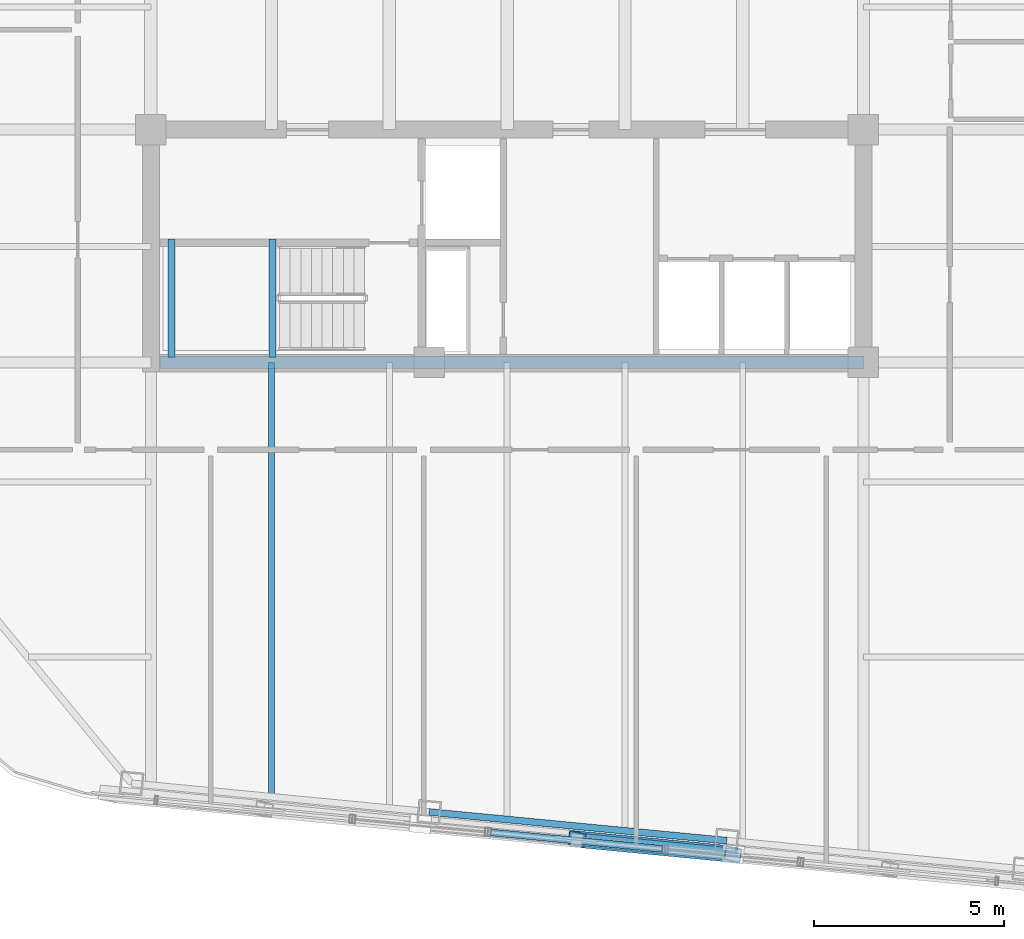
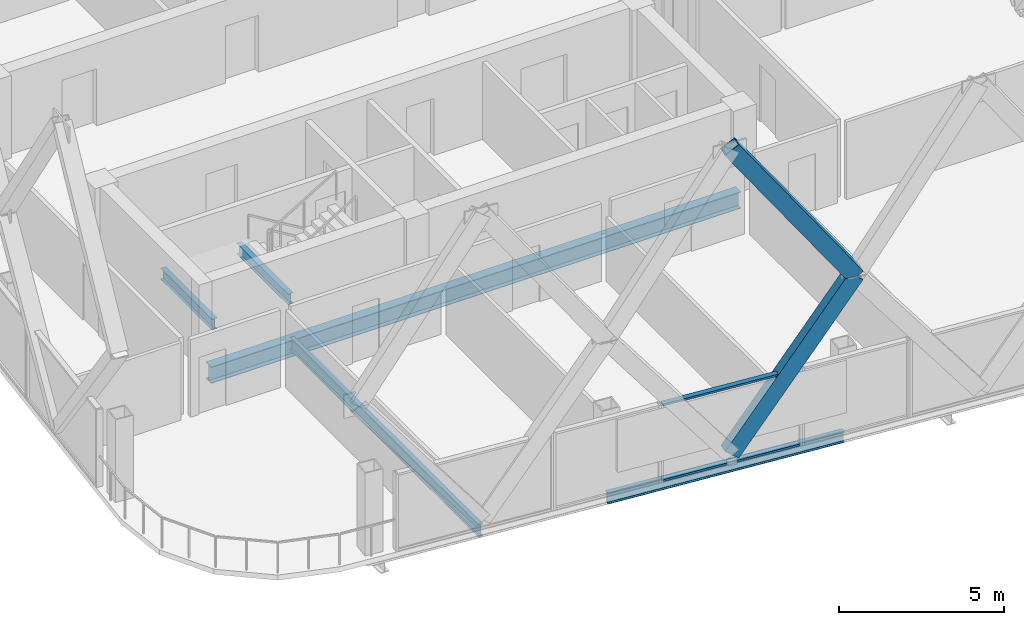
# One storey, part 5 of 25: 5 beams, 4 members, 1 element without a shape of its own.
"""IFC4 building model written with IfcOpenShell, lengths in metres."""

from ifc_helpers import new_model, si_unit, direction, frame, origin, origin_2d, place, context, subcontext, project, spatial, hollow_rectangle, i_section, extrude, material, layer, layer_set, material_profile, profile_set, type_object, element, aggregate, save


model = new_model("IFC4")

# Units and contexts
model_context = context("Model", 3, precision=1e-05, world=origin(), true_north=direction((0.0, 1.0)))
body_context = subcontext(model_context, "Body", "Model", "MODEL_VIEW")
ifc_project = project(units=[si_unit("LENGTHUNIT", "METRE"), si_unit("AREAUNIT", "SQUARE_METRE"), si_unit("VOLUMEUNIT", "CUBIC_METRE"), si_unit("PLANEANGLEUNIT", "RADIAN"), si_unit("MASSUNIT", "GRAM", prefix="KILO")], contexts=[model_context])

# Site, building, storey
site_placement = place(None, origin())
site = spatial("IfcSite", under=ifc_project, at=site_placement, CompositionType="ELEMENT")
building_placement = place(site_placement, origin())
building = spatial("IfcBuilding", under=site, at=building_placement, Name="Qhalaya Broadcast Tower", CompositionType="ELEMENT")
storey_placement = place(building_placement, frame((0.0, 0.0, 255.050048828125)))
storey = spatial("IfcBuildingStorey", under=building, at=storey_placement, Name="L75", CompositionType="ELEMENT", Elevation=255.050048828125)

# Beams
ifc_material_1 = material(Name="Structural Steel ASTM A992 Grade 50", Category="steel")
ifc_material_profile_1 = material_profile(ifc_material_1, i_section(OverallWidth=0.154052734375, OverallDepth=0.458984375, WebThickness=0.009033203125, FlangeThickness=0.015380859375, at=origin_2d()), Name="W18X46")
ifc_profile_set_1 = profile_set([ifc_material_profile_1], Name="Structural Steel ASTM A992 Grade 50")
beam_type_1 = type_object("IfcBeamType", Name="Composite Floor Joist J04", PredefinedType="JOIST", material=ifc_profile_set_1)
beam_1_placement = place(storey_placement, frame((-6.199951171875, -20.1630859375, -0.41943359375), z_axis=(0.0, 1.0, 0.0), x_axis=(-1.0, 0.0, 0.0)))
element("IfcBeam", 1, at=beam_1_placement, inside=storey, type_object=beam_type_1, Name="L75 J04 L75-JNS1-1", PredefinedType="JOIST", context=body_context, shape_type="SweptSolid", body=[
    extrude(i_section(OverallWidth=0.154052734375, OverallDepth=0.458984375, WebThickness=0.009033203125, FlangeThickness=0.015380859375, at=origin_2d()), origin(), (0.0, 0.0, 1.0), 11.4130859375),
])
ifc_material_profile_2 = material_profile(ifc_material_1, i_section(OverallWidth=0.323974609375, OverallDepth=0.612060546875, WebThickness=0.0126953125, FlangeThickness=0.01904296875, at=origin_2d()), Name="W24X104")
ifc_profile_set_2 = profile_set([ifc_material_profile_2], Name="Structural Steel ASTM A992 Grade 50")
beam_type_2 = type_object("IfcBeamType", Name="Core Frame Tie Beam B04", PredefinedType="BEAM", material=ifc_profile_set_2)
beam_2_placement = place(storey_placement, frame((-9.1201171875, -8.75, -0.49609375), z_axis=(1.0, 0.0, 0.0), x_axis=(0.0, 1.0, 0.0)))
element("IfcBeam", 2, at=beam_2_placement, inside=storey, type_object=beam_type_2, Name="L75 B04 L75-CCS3", PredefinedType="BEAM", context=body_context, shape_type="SweptSolid", body=[
    extrude(i_section(OverallWidth=0.323974609375, OverallDepth=0.612060546875, WebThickness=0.0126953125, FlangeThickness=0.01904296875, at=origin_2d()), origin(), (0.0, 0.0, 1.0), 18.4951171875),
])

# Members
ifc_material_2 = material(Name="Structural Steel ASTM A572 Grade 50", Category="steel")
ifc_material_profile_3 = material_profile(ifc_material_2, hollow_rectangle(XDim=0.3798828125, YDim=0.550048828125, WallThickness=0.02490234375, at=origin_2d()), Name="BOX 380x550x25")
ifc_profile_set_3 = profile_set([ifc_material_profile_3], Name="Structural Steel ASTM A572 Grade 50")
member_type_1 = type_object("IfcMemberType", Name="Exoskeleton Diamond Diagonal Upper EX4", PredefinedType="BRACE", material=ifc_profile_set_3)
member_1_placement = place(storey_placement, frame((1.830078125, -21.2978515625, 0.35986328125), z_axis=(0.605362942159, -0.058301925892, 0.793811434597), x_axis=(0.171157163881, 0.983517925101, -0.058289932722)))
element("IfcMember", 3, at=member_1_placement, inside=storey, type_object=member_type_1, Name="B6 Exoskeleton Diamond Brace S2-D2", PredefinedType="BRACE", context=body_context, shape_type="SweptSolid", body=[
    extrude(hollow_rectangle(XDim=0.3798828125, YDim=0.550048828125, WallThickness=0.02490234375, at=origin_2d()), origin(), (0.0, 0.0, 1.0), 6.79638671875),
])
member_2_placement = place(storey_placement, frame((5.9443359375, -21.694091796875, 5.7548828125), z_axis=(-0.572753444041, 0.055161336321, 0.817869622443), x_axis=(-0.173452418829, -0.983296871293, -0.055149989195)))
element("IfcMember", 4, at=member_2_placement, inside=storey, type_object=member_type_1, Name="B6 Exoskeleton Diamond Brace S2-D4", PredefinedType="BRACE", context=body_context, shape_type="SweptSolid", body=[
    extrude(hollow_rectangle(XDim=0.3798828125, YDim=0.550048828125, WallThickness=0.02490234375, at=origin_2d()), origin(), (0.0, 0.0, 1.0), 7.183349609375),
])

# Curtain wall, members
ifc_material_3 = material(Name="Fired Architectural Terracotta", Category="masonry")
ifc_layer = layer(ifc_material_3, 0.219970703125, Name="Fired Architectural Terracotta")
ifc_layer_set = layer_set([ifc_layer], Name="Fired Architectural Terracotta")
curtain_wall_type = type_object("IfcCurtainWallType", Name="Block-Cap Unitised Terracotta Spandrel Wall CW-07", PredefinedType="NOTDEFINED", material=ifc_layer_set)
curtain_wall_placement = place(storey_placement, origin())
curtain_wall = element("IfcCurtainWall", 5, at=curtain_wall_placement, inside=storey, type_object=curtain_wall_type, Name="L75 Unitised Curtain Wall L75-CW-S3", PredefinedType="NOTDEFINED")
ifc_material_4 = material(Name="Anodised Aluminium 6063-T6", Category="aluminium")
ifc_material_profile_4 = material_profile(ifc_material_4, hollow_rectangle(XDim=0.074951171875, YDim=0.179931640625, WallThickness=0.00390625, at=origin_2d()), Name="ALU-TRN 75x180x4")
ifc_profile_set_4 = profile_set([ifc_material_profile_4], Name="Anodised Aluminium 6063-T6")
member_type_2 = type_object("IfcMemberType", Name="Unitised Curtain-Wall Transom T01", PredefinedType="USERDEFINED", material=ifc_profile_set_4)
member_3_placement = place(storey_placement, frame((-0.43115234375, -21.120361328125, 0.037353515625), z_axis=(0.995394520898, -0.095863172104, 0.0), x_axis=(0.0, 0.0, 1.0)))
member_3 = element("IfcMember", 6, at=member_3_placement, type_object=member_type_2, Name="CW-07 transom 1.1", ObjectType="TRANSOM", PredefinedType="USERDEFINED", context=body_context, shape_type="SweptSolid", body=[
    extrude(hollow_rectangle(XDim=0.074951171875, YDim=0.179931640625, WallThickness=0.00390625, at=origin_2d()), origin(), (0.0, 0.0, 1.0), 4.535888671875),
])
member_4_placement = place(storey_placement, frame((-0.43115234375, -21.120361328125, 2.822509765625), z_axis=(0.995394520898, -0.095863172104, 0.0), x_axis=(0.0, 0.0, 1.0)))
member_4 = element("IfcMember", 7, at=member_4_placement, type_object=member_type_2, Name="CW-07 transom 1.2", ObjectType="TRANSOM", PredefinedType="USERDEFINED", context=body_context, shape_type="SweptSolid", body=[
    extrude(hollow_rectangle(XDim=0.074951171875, YDim=0.179931640625, WallThickness=0.00390625, at=origin_2d()), origin(), (0.0, 0.0, 1.0), 4.535888671875),
])
aggregate(curtain_wall, [member_3, member_4])

# Beams
ifc_material_profile_5 = material_profile(ifc_material_1, i_section(OverallWidth=0.177978515625, OverallDepth=0.406005859375, WebThickness=0.0078125, FlangeThickness=0.0126953125, at=origin_2d()), Name="W16X40")
ifc_profile_set_5 = profile_set([ifc_material_profile_5], Name="Structural Steel ASTM A992 Grade 50")
beam_type_3 = type_object("IfcBeamType", Name="Upper Perimeter Spandrel Beam SP2", PredefinedType="SPANDREL", material=ifc_profile_set_5)
beam_3_placement = place(storey_placement, frame((-2.052490234375, -20.58251953125, -0.39306640625), z_axis=(0.995397023367, -0.095837184179, 0.0), x_axis=(0.095837184179, 0.995397023367, 0.0)))
element("IfcBeam", 8, at=beam_3_placement, inside=storey, type_object=beam_type_3, Name="L75 SP2 L75-SPR-02", PredefinedType="SPANDREL", context=body_context, shape_type="SweptSolid", body=[
    extrude(i_section(OverallWidth=0.177978515625, OverallDepth=0.406005859375, WebThickness=0.0078125, FlangeThickness=0.0126953125, at=origin_2d()), origin(), (0.0, 0.0, 1.0), 7.866455078125),
])
for number, where, z_axis, x_axis, name in (
    (9, (-8.830078125, -8.6201171875, 1.1220703125), (0.0, 1.0, 0.0), (-1.0, 0.0, 0.0), "L75 ST-2 Half-Landing Bearer Beam 1"),
    (10, (-6.175048828125, -8.6201171875, 1.1220703125), (0.0, 1.0, 0.0), (-1.0, 0.0, 0.0), "L75 ST-2 Half-Landing Bearer Beam 2"),
):
    element("IfcBeam", number, at=place(storey_placement, frame(where, z_axis=z_axis, x_axis=x_axis)), inside=storey, type_object=beam_type_3, Name=name, PredefinedType="SPANDREL", context=body_context, shape_type="SweptSolid", body=[
        extrude(i_section(OverallWidth=0.177978515625, OverallDepth=0.406005859375, WebThickness=0.0078125, FlangeThickness=0.0126953125, at=origin_2d()), origin(), (0.0, 0.0, 1.0), 3.1201171875),
    ])

save(model, "model.ifc")
